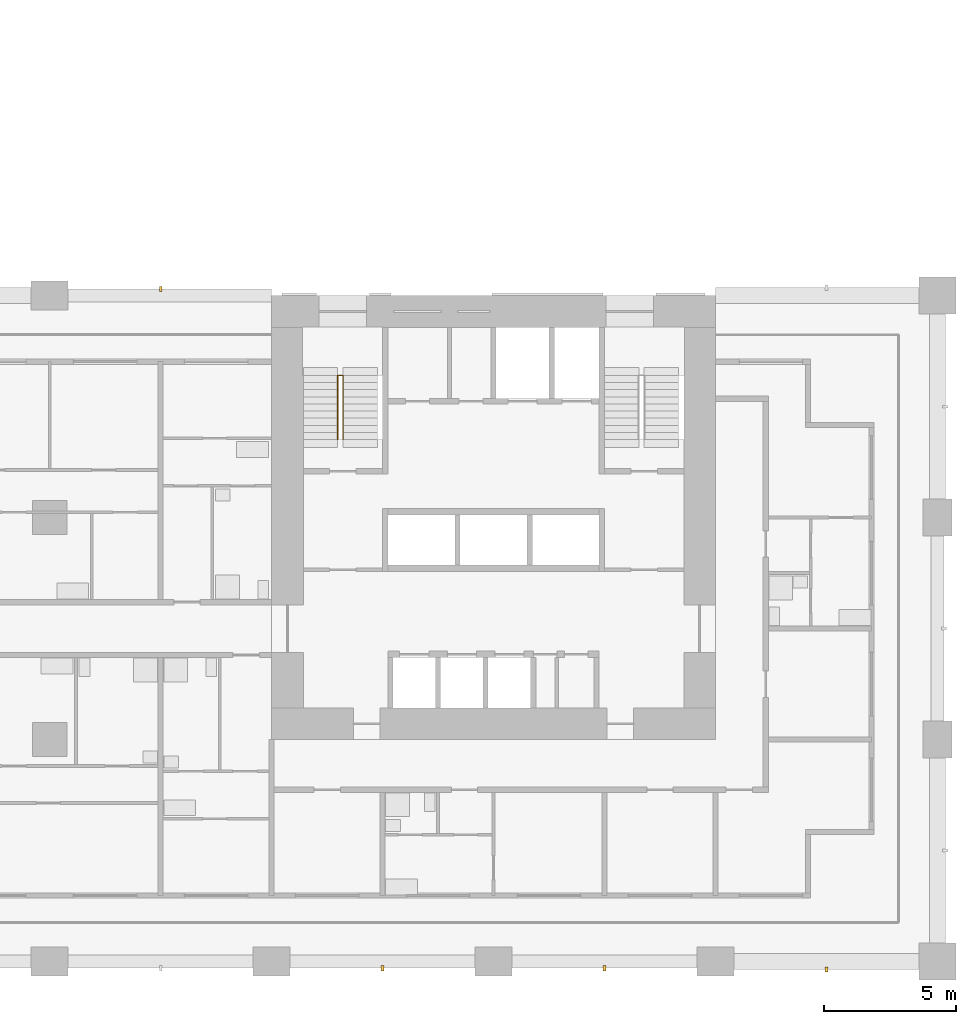
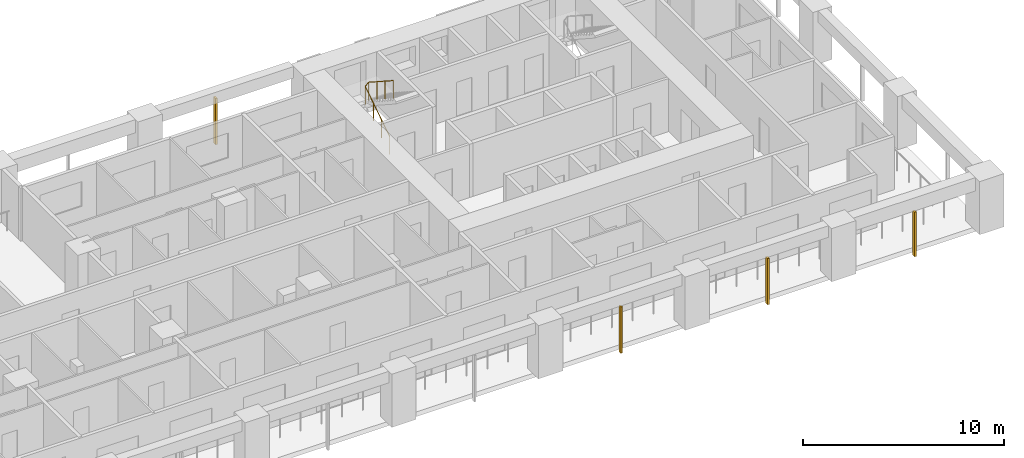
# One storey, part 13 of 19: 4 shading devices, 1 railing.
"""IFC4 building model written with IfcOpenShell, lengths in metres."""

from ifc_helpers import new_model, si_unit, direction, frame, origin, origin_2d, place, context, subcontext, project, spatial, rectangle, circle, extrude, material, material_profile, profile_set, type_object, element, save


model = new_model("IFC4")

# Units and contexts
model_context = context("Model", 3, precision=1e-05, world=origin(), true_north=direction((0.0, 1.0)))
body_context = subcontext(model_context, "Body", "Model", "MODEL_VIEW")
ifc_project = project(units=[si_unit("LENGTHUNIT", "METRE"), si_unit("AREAUNIT", "SQUARE_METRE"), si_unit("VOLUMEUNIT", "CUBIC_METRE"), si_unit("PLANEANGLEUNIT", "RADIAN"), si_unit("MASSUNIT", "GRAM", prefix="KILO")], contexts=[model_context])

# Site, building, storey
site_placement = place(None, origin())
site = spatial("IfcSite", under=ifc_project, at=site_placement, CompositionType="ELEMENT")
building_placement = place(site_placement, origin())
building = spatial("IfcBuilding", under=site, at=building_placement, Name="Vermilion Gate Residences", CompositionType="ELEMENT")
storey_placement = place(building_placement, frame((0.0, 0.0, 46.199951171875)))
storey = spatial("IfcBuildingStorey", under=building, at=storey_placement, Name="L10", CompositionType="ELEMENT", Elevation=46.199951171875)

# Railing
ifc_material_1 = material(Name="Steel S355", Category="steel")
railing_type = type_object("IfcRailingType", Name="STAIR GUARD 1100 STEEL", PredefinedType="GUARDRAIL", material=ifc_material_1)
railing_placement = place(storey_placement, frame((44.5, 19.75, 0.175048828125)))
element("IfcRailing", 1, at=railing_placement, inside=storey, type_object=railing_type, Name="Stair well guard STA1-10", PredefinedType="GUARDRAIL", context=body_context, shape_type="SweptSolid", body=[
    extrude(circle(Radius=0.02392578125, at=origin_2d()), frame((0.0, 0.0, 1.076171875), z_axis=(0.0, 0.839153699163, 0.543894354798), x_axis=(-1.0, 0.0, 0.0)), (0.0, 0.0, 1.0), 2.895751953125),
    extrude(circle(Radius=0.02392578125, at=origin_2d()), frame((0.0, 2.429931640625, 2.65087890625), z_axis=(0.752405939678, 0.0, 0.658699705433), x_axis=(0.0, 1.0, 0.0)), (0.0, 0.0, 1.0), 0.265869140625),
    extrude(circle(Radius=0.02392578125, at=origin_2d()), frame((0.199951171875, 2.429931640625, 2.826171875), z_axis=(0.0, -0.839153699163, 0.543894354798), x_axis=(1.0, 0.0, 0.0)), (0.0, 0.0, 1.0), 2.895751953125),
    extrude(circle(Radius=0.02099609375, at=origin_2d()), origin(), (0.0, 0.0, 1.0), 1.052001953125),
    extrude(circle(Radius=0.02099609375, at=origin_2d()), frame((0.0, 0.81005859375, 0.52490234375)), (0.0, 0.0, 1.0), 1.052001953125),
    extrude(circle(Radius=0.02099609375, at=origin_2d()), frame((0.0, 1.619873046875, 1.050048828125)), (0.0, 0.0, 1.0), 1.052001953125),
    extrude(circle(Radius=0.02099609375, at=origin_2d()), frame((0.0, 2.429931640625, 1.574951171875)), (0.0, 0.0, 1.0), 1.052001953125),
    extrude(circle(Radius=0.02099609375, at=origin_2d()), frame((0.199951171875, 2.429931640625, 1.75)), (0.0, 0.0, 1.0), 1.052001953125),
    extrude(circle(Radius=0.02099609375, at=origin_2d()), frame((0.199951171875, 1.619873046875, 2.27490234375)), (0.0, 0.0, 1.0), 1.052001953125),
    extrude(circle(Radius=0.02099609375, at=origin_2d()), frame((0.199951171875, 0.81005859375, 2.800048828125)), (0.0, 0.0, 1.0), 1.052001953125),
    extrude(circle(Radius=0.02099609375, at=origin_2d()), frame((0.199951171875, 0.0, 3.324951171875)), (0.0, 0.0, 1.0), 1.052001953125),
])

# Shading devices
ifc_material_2 = material(Name="Extruded terracotta", Category="masonry")
ifc_material_profile = material_profile(ifc_material_2, rectangle(XDim=0.199951171875, YDim=0.10009765625, at=origin_2d()), Name="BAGUETTE 100 X 200")
ifc_profile_set = profile_set([ifc_material_profile], Name="Extruded terracotta")
shading_device_type = type_object("IfcShadingDeviceType", Name="TERRACOTTA BAGUETTE 100 X 200", PredefinedType="JALOUSIE", material=ifc_profile_set)
for number, where, z_axis, x_axis, name in (
    (2, (46.199951171875, -0.25, -0.280029296875), (0.0, 0.0, 1.0), (0.0, 1.0, 0.0), "BAGUETTE"),
    (3, (54.60009765625, -0.25, -0.280029296875), (0.0, 0.0, 1.0), (0.0, 1.0, 0.0), "BAGUETTE"),
):
    element("IfcShadingDevice", number, at=place(storey_placement, frame(where, z_axis=z_axis, x_axis=x_axis)), inside=storey, type_object=shading_device_type, Name=name, PredefinedType="JALOUSIE", context=body_context, shape_type="SweptSolid", body=[
        extrude(rectangle(XDim=0.199951171875, YDim=0.10009765625, at=origin_2d()), origin(), (0.0, 0.0, 1.0), 2.800048828125),
    ])
shading_device_1_placement = place(storey_placement, frame((63.0, -0.300048828125, -0.280029296875), z_axis=(0.0, 0.0, 1.0), x_axis=(0.0, 1.0, 0.0)))
element("IfcShadingDevice", 4, at=shading_device_1_placement, inside=storey, type_object=shading_device_type, Name="BAGUETTE", PredefinedType="JALOUSIE", context=body_context, shape_type="SweptSolid", body=[
    extrude(rectangle(XDim=0.199951171875, YDim=0.10009765625, at=origin_2d()), origin(), (0.0, 0.0, 1.0), 2.7001953125),
])
shading_device_2_placement = place(storey_placement, frame((37.800048828125, 25.449951171875, -0.280029296875), z_axis=(0.0, 0.0, 1.0), x_axis=(0.0, -1.0, 0.0)))
element("IfcShadingDevice", 5, at=shading_device_2_placement, inside=storey, type_object=shading_device_type, Name="BAGUETTE", PredefinedType="JALOUSIE", context=body_context, shape_type="SweptSolid", body=[
    extrude(rectangle(XDim=0.199951171875, YDim=0.10009765625, at=origin_2d()), origin(), (0.0, 0.0, 1.0), 2.800048828125),
])

save(model, "model.ifc")
